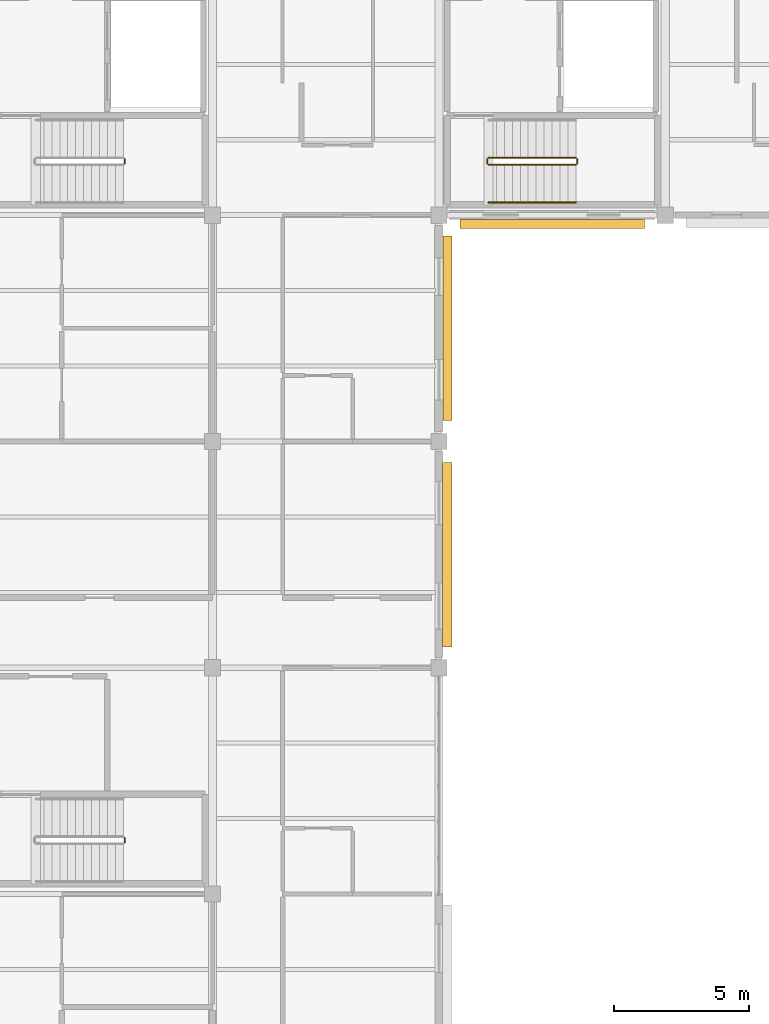
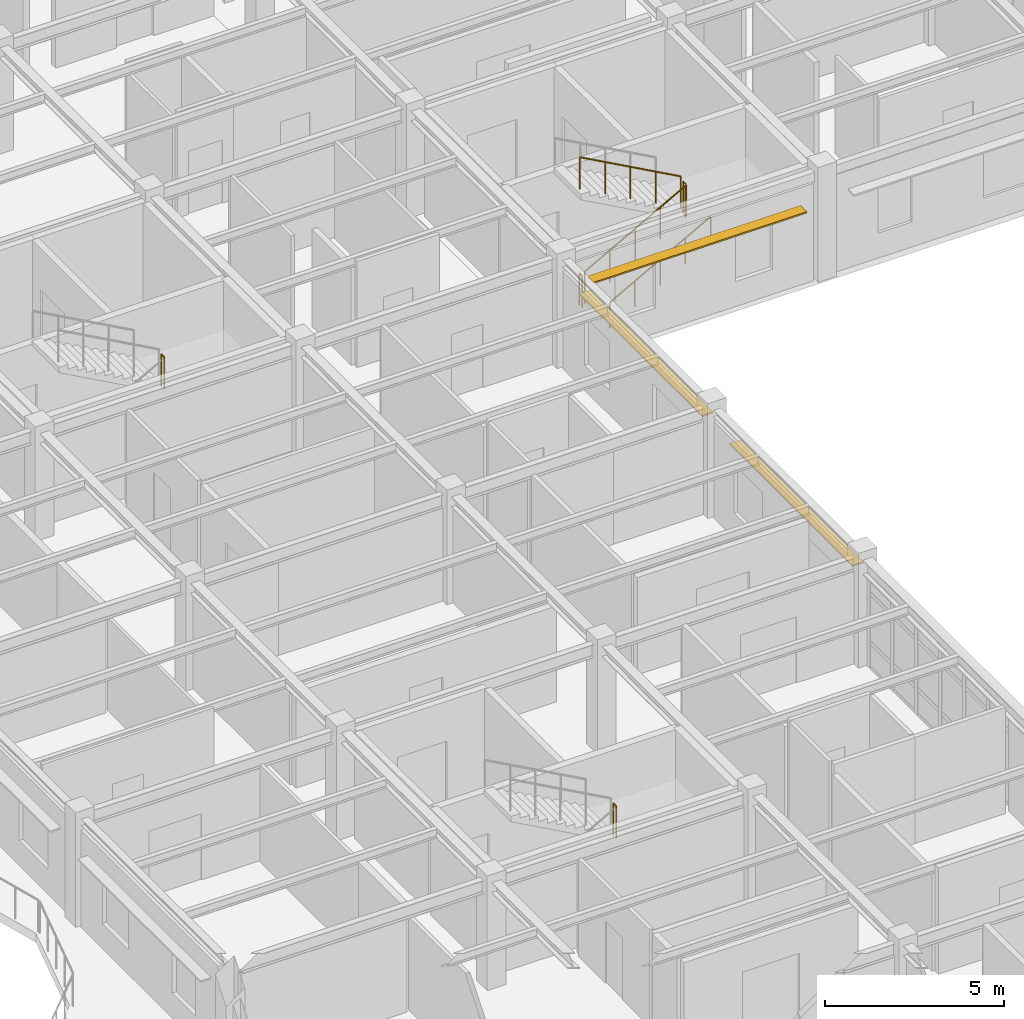
# One storey, part 80 of 86: 7 railings, 3 shading devices.
"""IFC4 building model written with IfcOpenShell, lengths in metres."""

from ifc_helpers import new_model, si_unit, direction, frame, origin, origin_2d, place, context, subcontext, project, spatial, rectangle, circle, extrude, material, material_profile, profile_set, type_object, element, save


model = new_model("IFC4")

# Units and contexts
model_context = context("Model", 3, precision=1e-05, world=origin(), true_north=direction((0.0, 1.0)))
body_context = subcontext(model_context, "Body", "Model", "MODEL_VIEW")
ifc_project = project(units=[si_unit("LENGTHUNIT", "METRE"), si_unit("AREAUNIT", "SQUARE_METRE"), si_unit("VOLUMEUNIT", "CUBIC_METRE"), si_unit("PLANEANGLEUNIT", "RADIAN"), si_unit("MASSUNIT", "GRAM", prefix="KILO")], contexts=[model_context])

# Site, building, storey
site_placement = place(None, origin())
site = spatial("IfcSite", under=ifc_project, at=site_placement, CompositionType="ELEMENT")
building_placement = place(site_placement, origin())
building = spatial("IfcBuilding", under=site, at=building_placement, Name="Bramfleet General Hospital", CompositionType="ELEMENT")
storey_placement = place(building_placement, frame((0.0, 0.0, 18.60009765625)))
storey = spatial("IfcBuildingStorey", under=building, at=storey_placement, Name="L04", CompositionType="ELEMENT", Elevation=18.60009765625)

# Railings
ifc_material_1 = material(Name="Powder-coated steel stair balustrade", Category="steel")
railing_type_1 = type_object("IfcRailingType", Name="RAIL-ST-GUARD", PredefinedType="GUARDRAIL", material=ifc_material_1)
railing_1_placement = place(storey_placement, frame((105.93505859375, 94.320068359375, 1.949951171875)))
element("IfcRailing", 1, at=railing_1_placement, inside=storey, type_object=railing_type_1, Name="L04 ST-C4 stair guard 2", PredefinedType="GUARDRAIL", context=body_context, shape_type="SweptSolid", body=[
    extrude(circle(Radius=0.02392578125, at=origin_2d()), frame((0.0, 0.0, 1.076171875), z_axis=(0.0, 1.0, 0.0), x_axis=(-1.0, 0.0, 0.0)), (0.0, 0.0, 1.0), 0.159912109375),
    extrude(circle(Radius=0.02099609375, at=origin_2d()), origin(), (0.0, 0.0, 1.0), 1.052001953125),
    extrude(circle(Radius=0.02099609375, at=origin_2d()), frame((0.0, 0.159912109375, 0.0)), (0.0, 0.0, 1.0), 1.052001953125),
])
railing_2_placement = place(storey_placement, frame((119.43994140625, 94.27001953125, 0.162353515625)))
element("IfcRailing", 2, at=railing_2_placement, inside=storey, type_object=railing_type_1, Name="L04 ST-C6 stair guard 1", PredefinedType="GUARDRAIL", context=body_context, shape_type="SweptSolid", body=[
    extrude(circle(Radius=0.02392578125, at=origin_2d()), frame((0.0, 0.0, 1.076171875), z_axis=(0.875898504189, 0.0, 0.482495399314), x_axis=(0.0, 1.0, 0.0)), (0.0, 0.0, 1.0), 3.704833984375),
    extrude(circle(Radius=0.02099609375, at=origin_2d()), origin(), (0.0, 0.0, 1.0), 1.052001953125),
    extrude(circle(Radius=0.02099609375, at=origin_2d()), frame((0.811279296875, 0.0, 0.44677734375)), (0.0, 0.0, 1.0), 1.052001953125),
    extrude(circle(Radius=0.02099609375, at=origin_2d()), frame((1.62255859375, 0.0, 0.893798828125)), (0.0, 0.0, 1.0), 1.052001953125),
    extrude(circle(Radius=0.02099609375, at=origin_2d()), frame((2.433837890625, 0.0, 1.3408203125)), (0.0, 0.0, 1.0), 1.052001953125),
    extrude(circle(Radius=0.02099609375, at=origin_2d()), frame((3.2451171875, 0.0, 1.78759765625)), (0.0, 0.0, 1.0), 1.052001953125),
])
railing_3_placement = place(storey_placement, frame((122.735107421875, 94.320068359375, 1.949951171875)))
element("IfcRailing", 3, at=railing_3_placement, inside=storey, type_object=railing_type_1, Name="L04 ST-C6 stair guard 2", PredefinedType="GUARDRAIL", context=body_context, shape_type="SweptSolid", body=[
    extrude(circle(Radius=0.02392578125, at=origin_2d()), frame((0.0, 0.0, 1.076171875), z_axis=(0.0, 1.0, 0.0), x_axis=(-1.0, 0.0, 0.0)), (0.0, 0.0, 1.0), 0.159912109375),
    extrude(circle(Radius=0.02099609375, at=origin_2d()), origin(), (0.0, 0.0, 1.0), 1.052001953125),
    extrude(circle(Radius=0.02099609375, at=origin_2d()), frame((0.0, 0.159912109375, 0.0)), (0.0, 0.0, 1.0), 1.052001953125),
])
railing_4_placement = place(storey_placement, frame((122.68505859375, 94.530029296875, 2.1123046875)))
element("IfcRailing", 4, at=railing_4_placement, inside=storey, type_object=railing_type_1, Name="L04 ST-C6 stair guard 3", PredefinedType="GUARDRAIL", context=body_context, shape_type="SweptSolid", body=[
    extrude(circle(Radius=0.02392578125, at=origin_2d()), frame((0.0, 0.0, 1.076171875), z_axis=(-0.875898504189, 0.0, 0.482495399314), x_axis=(0.0, -1.0, 0.0)), (0.0, 0.0, 1.0), 3.704833984375),
    extrude(circle(Radius=0.02099609375, at=origin_2d()), origin(), (0.0, 0.0, 1.0), 1.052001953125),
    extrude(circle(Radius=0.02099609375, at=origin_2d()), frame((-0.811279296875, 0.0, 0.44677734375)), (0.0, 0.0, 1.0), 1.052001953125),
    extrude(circle(Radius=0.02099609375, at=origin_2d()), frame((-1.62255859375, 0.0, 0.893798828125)), (0.0, 0.0, 1.0), 1.052001953125),
    extrude(circle(Radius=0.02099609375, at=origin_2d()), frame((-2.433837890625, 0.0, 1.3408203125)), (0.0, 0.0, 1.0), 1.052001953125),
    extrude(circle(Radius=0.02099609375, at=origin_2d()), frame((-3.2451171875, 0.0, 1.78759765625)), (0.0, 0.0, 1.0), 1.052001953125),
])
for number, where, name in (
    (5, (119.389892578125, 94.320068359375, 0.0), "L04 ST-C6 stair guard 4"),
    (6, (105.93505859375, 69.1201171875, 1.949951171875), "L04 ST-C11 stair guard 2"),
):
    element("IfcRailing", number, at=place(storey_placement, frame(where)), inside=storey, type_object=railing_type_1, Name=name, PredefinedType="GUARDRAIL", context=body_context, shape_type="SweptSolid", body=[
        extrude(circle(Radius=0.02392578125, at=origin_2d()), frame((0.0, 0.0, 1.076171875), z_axis=(0.0, 1.0, 0.0), x_axis=(-1.0, 0.0, 0.0)), (0.0, 0.0, 1.0), 0.159912109375),
        extrude(circle(Radius=0.02099609375, at=origin_2d()), origin(), (0.0, 0.0, 1.0), 1.052001953125),
        extrude(circle(Radius=0.02099609375, at=origin_2d()), frame((0.0, 0.159912109375, 0.0)), (0.0, 0.0, 1.0), 1.052001953125),
    ])
ifc_material_2 = material(Name="Stainless steel 1.4301 stair handrail", Category="steel")
railing_type_2 = type_object("IfcRailingType", Name="RAIL-ST-HND", PredefinedType="HANDRAIL", material=ifc_material_2)
railing_5_placement = place(storey_placement, frame((119.43994140625, 92.8701171875, 0.162353515625)))
element("IfcRailing", 7, at=railing_5_placement, inside=storey, type_object=railing_type_2, Name="L04 ST-C6 stair handrail 1", PredefinedType="HANDRAIL", context=body_context, shape_type="SweptSolid", body=[
    extrude(circle(Radius=0.02392578125, at=origin_2d()), frame((0.0, 0.0, 0.8759765625), z_axis=(0.875898504189, 0.0, 0.482495399314), x_axis=(0.0, 1.0, 0.0)), (0.0, 0.0, 1.0), 3.704833984375),
    extrude(circle(Radius=0.02099609375, at=origin_2d()), origin(), (0.0, 0.0, 1.0), 0.851806640625),
    extrude(circle(Radius=0.02099609375, at=origin_2d()), frame((0.811279296875, 0.0, 0.44677734375)), (0.0, 0.0, 1.0), 0.851806640625),
    extrude(circle(Radius=0.02099609375, at=origin_2d()), frame((1.62255859375, 0.0, 0.893798828125)), (0.0, 0.0, 1.0), 0.851806640625),
    extrude(circle(Radius=0.02099609375, at=origin_2d()), frame((2.433837890625, 0.0, 1.3408203125)), (0.0, 0.0, 1.0), 0.851806640625),
    extrude(circle(Radius=0.02099609375, at=origin_2d()), frame((3.2451171875, 0.0, 1.78759765625)), (0.0, 0.0, 1.0), 0.851806640625),
])

# Shading devices
ifc_material_3 = material(Name="Anodised aluminium EN AW-6063", Category="aluminium")
ifc_material_profile = material_profile(ifc_material_3, rectangle(XDim=0.050048828125, YDim=0.35009765625, at=origin_2d()), Name="ALU LOUVRE 350x50")
ifc_profile_set = profile_set([ifc_material_profile], Name="Anodised aluminium EN AW-6063")
shading_device_type = type_object("IfcShadingDeviceType", Name="SHD-LVR-350", PredefinedType="USERDEFINED", material=ifc_profile_set)
for number, where, z_axis, x_axis, name in (
    (8, (125.22509765625, 92.072509765625, 2.669921875), (-1.0, 0.0, 0.0), (0.0, 0.0, 1.0), "L04 Solar Shading Louvre 13"),
    (9, (117.91748046875, 91.625, 2.669921875), (0.0, -1.0, 0.0), (0.0, 0.0, 1.0), "L04 Solar Shading Louvre 14"),
    (10, (117.907470703125, 83.22509765625, 2.669921875), (0.0, -1.0, 0.0), (0.0, 0.0, 1.0), "L04 Solar Shading Louvre 15"),
):
    element("IfcShadingDevice", number, at=place(storey_placement, frame(where, z_axis=z_axis, x_axis=x_axis)), inside=storey, type_object=shading_device_type, Name=name, ObjectType="Louvre", PredefinedType="USERDEFINED", context=body_context, shape_type="SweptSolid", body=[
        extrude(rectangle(XDim=0.050048828125, YDim=0.35009765625, at=origin_2d()), origin(), (0.0, 0.0, 1.0), 6.85009765625),
    ])

save(model, "model.ifc")
